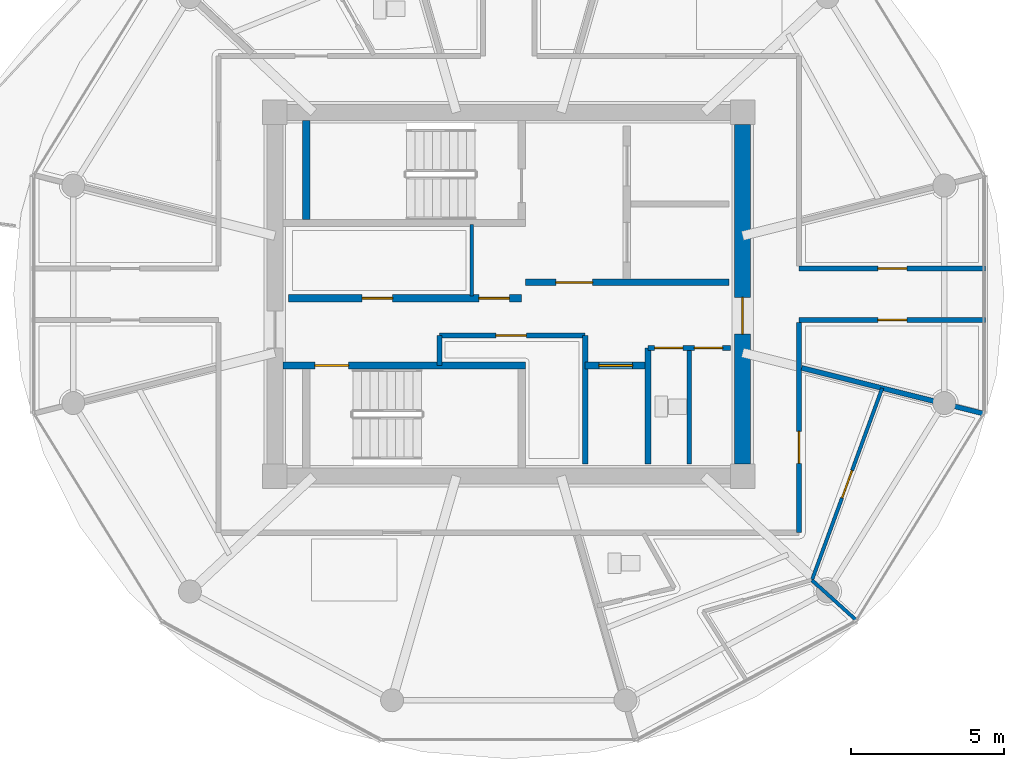
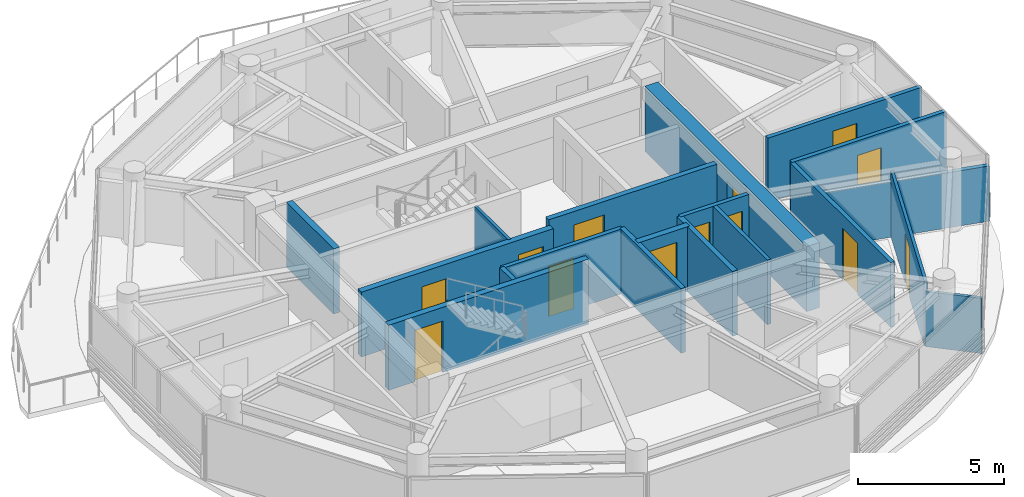
# One storey, part 12 of 21: 19 walls, 13 doors, 13 openings.
"""IFC4 building model written with IfcOpenShell, lengths in metres."""

import ifcopenshell
import ifcopenshell.guid

model = None  # the IFC model being written
_history = None  # IfcOwnerHistory: only IFC2X3 demands one
_inside = {}  # id of a spatial element -> (the spatial element, [elements in it])
_under = {}  # id of a project, library or spatial element -> (it, [spatial elements below it])
_declared = {}  # id of a project -> (the project, [libraries it declares])
_typed = {}  # id of a type object -> (the type object, [elements of that type])
_made_of = {}  # id of a material, layer set ... -> (it, [elements and type objects made of it])


def new_model(schema):
    """Start an empty IFC model of exactly this schema.

    Asked for "IFC4X3", IfcOpenShell would pick the latest addendum, in which some entities
    have other attributes; the version numbers below select the first issue.
    IFC2X3 requires an IfcOwnerHistory on every rooted entity: one is made here for all.
    """
    global model, _history
    if schema == "IFC4X3":
        model = ifcopenshell.file(schema_version=(4, 3, 0, 0))
    else:
        model = ifcopenshell.file(schema=schema)
    _inside.clear()
    _under.clear()
    _declared.clear()
    _typed.clear()
    _made_of.clear()
    _history = None
    if model.schema == "IFC2X3":
        org = make("IfcOrganization", Name="unknown")
        user = make(
            "IfcPersonAndOrganization",
            ThePerson=make("IfcPerson", FamilyName="unknown"),
            TheOrganization=org,
        )
        app = make(
            "IfcApplication",
            ApplicationDeveloper=org,
            Version="unknown",
            ApplicationFullName="unknown",
            ApplicationIdentifier="unknown",
        )
        _history = make(
            "IfcOwnerHistory",
            OwningUser=user,
            OwningApplication=app,
            ChangeAction="ADDED",
            CreationDate=0,
        )
    return model


def make(cls, **values):
    """One entity of the class cls with the attributes given. An attribute that is None is left unset."""
    return model.create_entity(
        cls, **{name: value for name, value in values.items() if value is not None}
    )


def rooted(cls, **values):
    """An entity with a GlobalId (a new one), such as an element, a storey or a relation."""
    return make(cls, GlobalId=ifcopenshell.guid.new(), OwnerHistory=_history, **values)


def si_unit(unit_type, name, prefix=None):
    """IfcSIUnit, for example si_unit("LENGTHUNIT", "METRE", prefix="MILLI")."""
    return make("IfcSIUnit", UnitType=unit_type, Prefix=prefix, Name=name)


def assignment(units):
    """IfcUnitAssignment: the units of a project."""
    return None if units is None else make("IfcUnitAssignment", Units=units)


def point(xyz):
    """IfcCartesianPoint."""
    return None if xyz is None else make("IfcCartesianPoint", Coordinates=xyz)


def direction(xyz):
    """IfcDirection."""
    return None if xyz is None else make("IfcDirection", DirectionRatios=xyz)


def frame(location, z_axis=None, x_axis=None):
    """IfcAxis2Placement3D, a coordinate frame: its origin and axes. An axis left out is left unset."""
    return make(
        "IfcAxis2Placement3D",
        Location=point(location),
        Axis=direction(z_axis),
        RefDirection=direction(x_axis),
    )


def frame_2d(location, x_axis=None):
    """IfcAxis2Placement2D, a coordinate frame in the plane: its origin and x axis."""
    return make(
        "IfcAxis2Placement2D", Location=point(location), RefDirection=direction(x_axis)
    )


def origin():
    """The frame at (0, 0, 0) with its axes left unset."""
    return frame((0.0, 0.0, 0.0))


def place(relative_to, where):
    """IfcLocalPlacement: puts the frame where relative to a parent placement (None: the world)."""
    return make(
        "IfcLocalPlacement", PlacementRelTo=relative_to, RelativePlacement=where
    )


def context(
    kind, dimensions, precision=None, world=None, true_north=None, identifier=None
):
    """IfcGeometricRepresentationContext, for example the 3D "Model" context."""
    return make(
        "IfcGeometricRepresentationContext",
        ContextIdentifier=identifier,
        ContextType=kind,
        CoordinateSpaceDimension=dimensions,
        Precision=precision,
        WorldCoordinateSystem=world,
        TrueNorth=true_north,
    )


def subcontext(parent, identifier, kind, view, scale=None):
    """IfcGeometricRepresentationSubContext, for example "Body" below "Model"."""
    return make(
        "IfcGeometricRepresentationSubContext",
        ContextIdentifier=identifier,
        ContextType=kind,
        ParentContext=parent,
        TargetScale=scale,
        TargetView=view,
    )


def project(units=None, contexts=None):
    """IfcProject with its units and contexts."""
    return rooted(
        "IfcProject",
        Name="project",
        RepresentationContexts=contexts,
        UnitsInContext=assignment(units),
    )


def spatial(cls, under=None, at=None, **own):
    """A site, building, storey or space (cls), placed at a placement, below another one or the project."""
    s = rooted(cls, ObjectPlacement=at, **own)
    if under is not None:
        _under.setdefault(under.id(), (under, []))[1].append(s)
    return s


def profile(cls, at=None, kind="AREA", **sizes):
    """A parametric profile (cls). Its sizes go by their IFC names, for example OverallWidth=200.0."""
    return make(cls, ProfileType=kind, Position=at, **sizes)


def rectangle(**sizes):
    """IfcRectangleProfileDef."""
    return profile("IfcRectangleProfileDef", **sizes)


def extrude(swept, where, along, depth):
    """IfcExtrudedAreaSolid: the profile swept, set in the frame where, extruded along a direction by depth."""
    return make(
        "IfcExtrudedAreaSolid",
        SweptArea=swept,
        Position=where,
        ExtrudedDirection=direction(along),
        Depth=depth,
    )


def shape(context_of_items, identifier, shape_type, items):
    """IfcShapeRepresentation: the items that make up one representation, for example the "Body"."""
    return make(
        "IfcShapeRepresentation",
        ContextOfItems=context_of_items,
        RepresentationIdentifier=identifier,
        RepresentationType=shape_type,
        Items=items,
    )


def source(mapping_origin, context_of_items, identifier, shape_type, items):
    """IfcRepresentationMap: a shape defined once, which mapped items show again and again."""
    return make(
        "IfcRepresentationMap",
        MappingOrigin=mapping_origin,
        MappedRepresentation=shape(context_of_items, identifier, shape_type, items),
    )


def transform(
    local_origin,
    x_axis=None,
    y_axis=None,
    z_axis=None,
    scale=None,
    scale2=None,
    scale3=None,
    uniform=True,
):
    """IfcCartesianTransformationOperator3D, or its non-uniform kind. x_axis, y_axis, z_axis: its Axis1, 2, 3."""
    if uniform:
        return make(
            "IfcCartesianTransformationOperator3D",
            Axis1=direction(x_axis),
            Axis2=direction(y_axis),
            LocalOrigin=point(local_origin),
            Scale=scale,
            Axis3=direction(z_axis),
        )
    return make(
        "IfcCartesianTransformationOperator3DnonUniform",
        Axis1=direction(x_axis),
        Axis2=direction(y_axis),
        LocalOrigin=point(local_origin),
        Scale=scale,
        Axis3=direction(z_axis),
        Scale2=scale2,
        Scale3=scale3,
    )


def mapped(mapping_source, mapping_target):
    """IfcMappedItem: shows the shape of a source again, moved by a transform."""
    return make(
        "IfcMappedItem", MappingSource=mapping_source, MappingTarget=mapping_target
    )


def material(Name=None, Category=None):
    """IfcMaterial."""
    return make("IfcMaterial", Name=Name, Category=Category)


def layer(
    of_material, thickness, ventilated=None, Name=None, Category=None, Priority=None
):
    """IfcMaterialLayer: one layer of a wall or slab, of a material (None: an air gap)."""
    return make(
        "IfcMaterialLayer",
        Material=of_material,
        LayerThickness=thickness,
        IsVentilated=ventilated,
        Name=Name,
        Category=Category,
        Priority=Priority,
    )


def layer_set(layers, Name=None):
    """IfcMaterialLayerSet."""
    return make("IfcMaterialLayerSet", MaterialLayers=layers, LayerSetName=Name)


def made_of(thing, what):
    """Note that an element or type object is made of a material, layer set ...; save() writes the relation."""
    if what is not None:
        _made_of.setdefault(what.id(), (what, []))[1].append(thing)
    return thing


def type_object(cls, material=None, **own):
    """A type object (cls), such as IfcWallType, which elements share."""
    return made_of(rooted(cls, **own), material)


def type_shapes(of_type, sources):
    """Give a type object the sources (RepresentationMaps) that its elements show as mapped items."""
    of_type.RepresentationMaps = sources


def element(
    cls,
    number,
    at=None,
    inside=None,
    cuts=None,
    type_object=None,
    material=None,
    context=None,
    identifier="Body",
    shape_type=None,
    held_by="IfcProductDefinitionShape",
    body=None,
    shapes=None,
    **own,
):
    """One element of the class cls, such as IfcWall. Its Tag is "e" and its number.

    at: its placement. inside: the storey or other place that contains it. cuts: it is an
    opening in that element (IfcRelVoidsElement). A single representation is given by context,
    identifier, shape_type and body (its items); several are given by shapes. held_by: the class
    of the entity that holds the representations. save() writes the other relations.
    """
    e = rooted(cls, Tag="e%d" % number, ObjectPlacement=at, **own)
    if body is not None:
        shapes = [shape(context, identifier, shape_type, body)]
    if shapes is not None:
        e.Representation = make(held_by, Representations=shapes)
    if inside is not None:
        _inside.setdefault(inside.id(), (inside, []))[1].append(e)
    if cuts is not None:
        rooted(
            "IfcRelVoidsElement", RelatingBuildingElement=cuts, RelatedOpeningElement=e
        )
    if type_object is not None:
        _typed.setdefault(type_object.id(), (type_object, []))[1].append(e)
    return made_of(e, material)


def fill(opening, filler):
    """IfcRelFillsElement: the door or window that sits in an opening."""
    return rooted(
        "IfcRelFillsElement",
        RelatingOpeningElement=opening,
        RelatedBuildingElement=filler,
    )


def aggregate(whole, parts):
    """IfcRelAggregates: a whole, such as a stair, and the parts it consists of."""
    return rooted("IfcRelAggregates", RelatingObject=whole, RelatedObjects=parts)


def save(model, path):
    """Write the relations noted so far, then the file.

    IfcRelAggregates (storeys below a building ...), IfcRelContainedInSpatialStructure (elements
    in a storey), IfcRelDefinesByType, IfcRelAssociatesMaterial and IfcRelDeclares: one each for
    every whole, place, type object, material and project.
    """
    for whole, parts in _under.values():
        aggregate(whole, parts)
    for where, things in _inside.values():
        rooted(
            "IfcRelContainedInSpatialStructure",
            RelatedElements=things,
            RelatingStructure=where,
        )
    for kind, things in _typed.values():
        rooted("IfcRelDefinesByType", RelatedObjects=things, RelatingType=kind)
    for what, things in _made_of.values():
        rooted("IfcRelAssociatesMaterial", RelatedObjects=things, RelatingMaterial=what)
    for by, libraries in _declared.values():
        rooted("IfcRelDeclares", RelatingContext=by, RelatedDefinitions=libraries)
    model.write(path)


model = new_model("IFC4")

# Units and contexts
model_context = context("Model", 3, precision=1e-05, world=origin(), true_north=direction((0.0, 1.0)))
body_context = subcontext(model_context, "Body", "Model", "MODEL_VIEW")
ifc_project = project(units=[si_unit("LENGTHUNIT", "METRE"), si_unit("AREAUNIT", "SQUARE_METRE"), si_unit("VOLUMEUNIT", "CUBIC_METRE"), si_unit("PLANEANGLEUNIT", "RADIAN"), si_unit("MASSUNIT", "GRAM", prefix="KILO")], contexts=[model_context])

# Site, building, storey
site_placement = place(None, origin())
site = spatial("IfcSite", under=ifc_project, at=site_placement, CompositionType="ELEMENT")
building_placement = place(site_placement, origin())
building = spatial("IfcBuilding", under=site, at=building_placement, Name="Norrkilde Senior Care Towers", CompositionType="ELEMENT")
storey_placement = place(building_placement, frame((0.0, 0.0, 241.35009765625)))
storey = spatial("IfcBuildingStorey", under=building, at=storey_placement, Name="L75", CompositionType="ELEMENT", Elevation=241.35009765625)

# Wall, opening, door
ifc_material_1 = material(Name="Concrete C50/60", Category="concrete")
ifc_layer_1 = layer(ifc_material_1, 0.52001953125)
ifc_layer_set_1 = layer_set([ifc_layer_1], Name="Concrete C50/60")
wall_type_1 = type_object("IfcWallType", Name="Core Shear Wall Z4 520", PredefinedType="SHEAR", material=ifc_layer_set_1)
shared_shape_1 = source(origin(), body_context, "Body", "SweptSolid", [
    extrude(rectangle(XDim=11.10009765625, YDim=0.52001953125, at=frame_2d((5.550048828125, 0.0))), origin(), (0.0, 0.0, 1.0), 2.72998046875),
])
type_shapes(wall_type_1, [shared_shape_1])
wall_1_placement = place(storey_placement, frame((35.64990234375, 5.550048828125, 0.0), z_axis=(0.0, 0.0, 1.0), x_axis=(0.0, -1.0, 0.0)))
wall_1 = element("IfcWall", 1, at=wall_1_placement, inside=storey, type_object=wall_type_1, Name="L75 Core E East Shear Wall", PredefinedType="SHEAR", context=body_context, shape_type="MappedRepresentation", body=[
    mapped(shared_shape_1, transform((0.0, 0.0, 0.0), x_axis=(1.0, 0.0, 0.0), y_axis=(0.0, 1.0, 0.0), z_axis=(0.0, 0.0, 1.0), scale=1.0)),
])
opening_1_placement = place(wall_1_placement, frame((5.64990234375, 0.0, 0.0)))
opening_1 = element("IfcOpeningElement", 2, at=opening_1_placement, cuts=wall_1, Name="Opening D-04", PredefinedType="OPENING", context=body_context, shape_type="SweptSolid", body=[
    extrude(rectangle(XDim=1.199951171875, YDim=2.14990234375, at=frame_2d((0.60009765625, 1.074951171875))), frame((0.0, 0.27001953125, 0.0), z_axis=(0.0, -1.0, 0.0), x_axis=(1.0, 0.0, 0.0)), (0.0, 0.0, 1.0), 0.5400390625),
])
ifc_material_2 = material(Name="Galvanised Painted Steel", Category="steel")
door_type_1 = type_object("IfcDoorType", Name="Firefighting Lobby Fire Door 1200x2150", OperationType="NOTDEFINED", PredefinedType="DOOR", material=ifc_material_2)
shared_shape_2 = source(origin(), body_context, "Body", "SweptSolid", [
    extrude(rectangle(XDim=1.199951171875, YDim=2.14990234375, at=frame_2d((0.60009765625, 1.074951171875))), frame((0.0, 0.02490234375, 0.0), z_axis=(0.0, -1.0, 0.0), x_axis=(1.0, 0.0, 0.0)), (0.0, 0.0, 1.0), 0.050048828125),
])
type_shapes(door_type_1, [shared_shape_2])
door_1_placement = place(opening_1_placement, frame((1.199951171875, 0.0, 0.0), z_axis=(0.0, 0.0, 1.0), x_axis=(-1.0, 0.0, 0.0)))
door_1 = element("IfcDoor", 3, at=door_1_placement, inside=storey, type_object=door_type_1, Name="L75 Core E East Portal Door", OperationType="SINGLE_SWING_RIGHT", OverallHeight=2.14990234375, OverallWidth=1.199951171875, PredefinedType="DOOR", context=body_context, shape_type="MappedRepresentation", body=[
    mapped(shared_shape_2, transform((0.0, 0.0, 0.0), x_axis=(1.0, 0.0, 0.0), y_axis=(0.0, 1.0, 0.0), z_axis=(0.0, 0.0, 1.0), scale=1.0)),
])
fill(opening_1, door_1)

ifc_material_3 = material(Name="Concrete C45/55", Category="concrete")
ifc_layer_2 = layer(ifc_material_3, 0.2099609375)
ifc_layer_set_2 = layer_set([ifc_layer_2], Name="Concrete C45/55")
wall_type_2 = type_object("IfcWallType", Name="Firefighting Lobby Wall 210", PredefinedType="PARTITIONING", material=ifc_layer_set_2)
shared_shape_3 = source(origin(), body_context, "Body", "SweptSolid", [
    extrude(rectangle(XDim=6.659912109375, YDim=0.2099609375, at=frame_2d((3.330078125, 0.0))), origin(), (0.0, 0.0, 1.0), 2.71484375),
])
type_shapes(wall_type_2, [shared_shape_3])
wall_2_placement = place(storey_placement, frame((28.5400390625, 0.389892578125, 0.0), z_axis=(0.0, 0.0, 1.0), x_axis=(1.0, 0.0, 0.0)))
wall_2 = element("IfcWall", 4, at=wall_2_placement, inside=storey, type_object=wall_type_2, Name="WL-INT-L75-E-FFLS", PredefinedType="PARTITIONING", context=body_context, shape_type="MappedRepresentation", body=[
    mapped(shared_shape_3, transform((0.0, 0.0, 0.0), x_axis=(1.0, 0.0, 0.0), y_axis=(0.0, 1.0, 0.0), z_axis=(0.0, 0.0, 1.0), scale=1.0)),
])
opening_2_placement = place(wall_2_placement, frame((1.0, 0.0, 0.0)))
opening_2 = element("IfcOpeningElement", 5, at=opening_2_placement, cuts=wall_2, Name="Opening D-04", PredefinedType="OPENING", context=body_context, shape_type="SweptSolid", body=[
    extrude(rectangle(XDim=1.199951171875, YDim=2.14990234375, at=frame_2d((0.60009765625, 1.074951171875))), frame((0.0, 0.114990234375, 0.0), z_axis=(0.0, -1.0, 0.0), x_axis=(1.0, 0.0, 0.0)), (0.0, 0.0, 1.0), 0.22998046875),
])
door_2_placement = place(opening_2_placement, frame((1.199951171875, 0.0, 0.0), z_axis=(0.0, 0.0, 1.0), x_axis=(-1.0, 0.0, 0.0)))
door_2 = element("IfcDoor", 6, at=door_2_placement, inside=storey, type_object=door_type_1, Name="L75 Firefighting Lobby E Door", OperationType="SINGLE_SWING_LEFT", OverallHeight=2.14990234375, OverallWidth=1.199951171875, PredefinedType="DOOR", context=body_context, shape_type="MappedRepresentation", body=[
    mapped(shared_shape_2, transform((0.0, 0.0, 0.0), x_axis=(1.0, 0.0, 0.0), y_axis=(0.0, 1.0, 0.0), z_axis=(0.0, 0.0, 1.0), scale=1.0)),
])
fill(opening_2, door_2)

# Wall, openings, doors
ifc_layer_3 = layer(ifc_material_3, 0.239990234375)
ifc_layer_set_3 = layer_set([ifc_layer_3], Name="Concrete C45/55")
wall_type_3 = type_object("IfcWallType", Name="Lift and Plant Rated Enclosure Partition 240", PredefinedType="PARTITIONING", material=ifc_layer_set_3)
shared_shape_4 = source(origin(), body_context, "Body", "SweptSolid", [
    extrude(rectangle(XDim=7.619873046875, YDim=0.239990234375, at=frame_2d((3.81005859375, 0.0))), origin(), (0.0, 0.0, 1.0), 2.71484375),
])
wall_3_placement = place(storey_placement, frame((20.800048828125, -0.1298828125, 0.0), z_axis=(0.0, 0.0, 1.0), x_axis=(1.0, 0.0, 0.0)))
wall_3 = element("IfcWall", 7, at=wall_3_placement, inside=storey, type_object=wall_type_3, Name="WL-INT-L75-E-PKAS", PredefinedType="PARTITIONING", context=body_context, shape_type="MappedRepresentation", body=[
    mapped(shared_shape_4, transform((0.0, 0.0, 0.0), x_axis=(1.0, 0.0, 0.0), y_axis=(0.0, 1.0, 0.0), z_axis=(0.0, 0.0, 1.0), scale=1.0)),
])
opening_3_placement = place(wall_3_placement, frame((6.219970703125, 0.0, 0.0)))
opening_3 = element("IfcOpeningElement", 8, at=opening_3_placement, cuts=wall_3, Name="Opening D-10", PredefinedType="OPENING", context=body_context, shape_type="SweptSolid", body=[
    extrude(rectangle(XDim=1.0, YDim=2.10009765625, at=frame_2d((0.5, 1.050048828125))), frame((0.0, 0.1298828125, 0.0), z_axis=(0.0, -1.0, 0.0), x_axis=(1.0, 0.0, 0.0)), (0.0, 0.0, 1.0), 0.260009765625),
])
opening_4_placement = place(wall_3_placement, frame((2.39990234375, 0.0, 0.0)))
opening_4 = element("IfcOpeningElement", 9, at=opening_4_placement, cuts=wall_3, Name="Opening D-10", PredefinedType="OPENING", context=body_context, shape_type="SweptSolid", body=[
    extrude(rectangle(XDim=1.0, YDim=2.10009765625, at=frame_2d((0.5, 1.050048828125))), frame((0.0, 0.1298828125, 0.0), z_axis=(0.0, -1.0, 0.0), x_axis=(1.0, 0.0, 0.0)), (0.0, 0.0, 1.0), 0.260009765625),
])
door_type_2 = type_object("IfcDoorType", Name="Plant and Riser Rated Door 1000x2100", OperationType="NOTDEFINED", PredefinedType="DOOR", material=ifc_material_2)
shared_shape_5 = source(origin(), body_context, "Body", "SweptSolid", [
    extrude(rectangle(XDim=1.0, YDim=2.10009765625, at=frame_2d((0.5, 1.050048828125))), frame((0.0, 0.02490234375, 0.0), z_axis=(0.0, -1.0, 0.0), x_axis=(1.0, 0.0, 0.0)), (0.0, 0.0, 1.0), 0.050048828125),
])
type_shapes(door_type_2, [shared_shape_5])
door_3_placement = place(opening_3_placement, frame((1.0, 0.0, 0.0), z_axis=(0.0, 0.0, 1.0), x_axis=(-1.0, 0.0, 0.0)))
door_3 = element("IfcDoor", 10, at=door_3_placement, inside=storey, type_object=door_type_2, Name="L75 Electrical Riser E Door", OperationType="SINGLE_SWING_LEFT", OverallHeight=2.10009765625, OverallWidth=1.0, PredefinedType="DOOR", context=body_context, shape_type="MappedRepresentation", body=[
    mapped(shared_shape_5, transform((0.0, 0.0, 0.0), x_axis=(1.0, 0.0, 0.0), y_axis=(0.0, 1.0, 0.0), z_axis=(0.0, 0.0, 1.0), scale=1.0)),
])
fill(opening_3, door_3)
door_4_placement = place(opening_4_placement, frame((1.0, 0.0, 0.0), z_axis=(0.0, 0.0, 1.0), x_axis=(-1.0, 0.0, 0.0)))
door_4 = element("IfcDoor", 11, at=door_4_placement, inside=storey, type_object=door_type_2, Name="L75 Clean Supply Store E Door", OperationType="SINGLE_SWING_LEFT", OverallHeight=2.10009765625, OverallWidth=1.0, PredefinedType="DOOR", context=body_context, shape_type="MappedRepresentation", body=[
    mapped(shared_shape_5, transform((0.0, 0.0, 0.0), x_axis=(1.0, 0.0, 0.0), y_axis=(0.0, 1.0, 0.0), z_axis=(0.0, 0.0, 1.0), scale=1.0)),
])
fill(opening_4, door_4)

# Walls
ifc_material_4 = material(Name="Gypsum Acoustic Board")
ifc_layer_4 = layer(ifc_material_4, 0.114990234375)
ifc_layer_set_4 = layer_set([ifc_layer_4], Name="Gypsum Acoustic Board")
wall_type_4 = type_object("IfcWallType", Name="Internal Room Partition 115", PredefinedType="PARTITIONING", material=ifc_layer_set_4)
shared_shape_6 = source(origin(), body_context, "Body", "SweptSolid", [
    extrude(rectangle(XDim=2.330078125, YDim=0.114990234375, at=frame_2d((1.1650390625, 0.0))), origin(), (0.0, 0.0, 1.0), 2.71484375),
])
wall_4_placement = place(storey_placement, frame((26.7900390625, -0.050048828125, 0.0), z_axis=(0.0, 0.0, 1.0), x_axis=(0.0, 1.0, 0.0)))
element("IfcWall", 12, at=wall_4_placement, inside=storey, type_object=wall_type_4, Name="WL-INT-L75-E-RISW", PredefinedType="PARTITIONING", context=body_context, shape_type="MappedRepresentation", body=[
    mapped(shared_shape_6, transform((0.0, 0.0, 0.0), x_axis=(1.0, 0.0, 0.0), y_axis=(0.0, 1.0, 0.0), z_axis=(0.0, 0.0, 1.0), scale=1.0)),
])
ifc_layer_5 = layer(ifc_material_3, 0.199951171875)
ifc_layer_set_5 = layer_set([ifc_layer_5], Name="Concrete C45/55")
wall_type_5 = type_object("IfcWallType", Name="Shaft Division and Plant Partition 200", PredefinedType="PARTITIONING", material=ifc_layer_set_5)
shared_shape_7 = source(origin(), body_context, "Body", "SweptSolid", [
    extrude(rectangle(XDim=3.800048828125, YDim=0.199951171875, at=frame_2d((1.89990234375, 0.0))), origin(), (0.0, 0.0, 1.0), 2.71484375),
])
type_shapes(wall_type_5, [shared_shape_7])
wall_5_placement = place(storey_placement, frame((32.550048828125, -5.550048828125, 0.0), z_axis=(0.0, 0.0, 1.0), x_axis=(0.0, 1.0, 0.0)))
element("IfcWall", 13, at=wall_5_placement, inside=storey, type_object=wall_type_5, Name="WL-INT-L75-E-PKBE", PredefinedType="PARTITIONING", context=body_context, shape_type="MappedRepresentation", body=[
    mapped(shared_shape_7, transform((0.0, 0.0, 0.0), x_axis=(1.0, 0.0, 0.0), y_axis=(0.0, 1.0, 0.0), z_axis=(0.0, 0.0, 1.0), scale=1.0)),
])

# Wall, opening, door
shared_shape_8 = source(origin(), body_context, "Body", "SweptSolid", [
    extrude(rectangle(XDim=2.050048828125, YDim=0.239990234375, at=frame_2d((1.02490234375, 0.0))), origin(), (0.0, 0.0, 1.0), 2.71484375),
])
type_shapes(wall_type_3, [shared_shape_4, shared_shape_8])
wall_6_placement = place(storey_placement, frame((30.5, -2.330078125, 0.0), z_axis=(0.0, 0.0, 1.0), x_axis=(1.0, 0.0, 0.0)))
wall_6 = element("IfcWall", 14, at=wall_6_placement, inside=storey, type_object=wall_type_3, Name="WL-INT-L75-E-PL4N", PredefinedType="PARTITIONING", context=body_context, shape_type="MappedRepresentation", body=[
    mapped(shared_shape_8, transform((0.0, 0.0, 0.0), x_axis=(1.0, 0.0, 0.0), y_axis=(0.0, 1.0, 0.0), z_axis=(0.0, 0.0, 1.0), scale=1.0)),
])
opening_5_placement = place(wall_6_placement, frame((0.449951171875, 0.0, 0.0)))
opening_5 = element("IfcOpeningElement", 15, at=opening_5_placement, cuts=wall_6, Name="Opening LD-01", PredefinedType="OPENING", context=body_context, shape_type="SweptSolid", body=[
    extrude(rectangle(XDim=1.10009765625, YDim=2.199951171875, at=frame_2d((0.550048828125, 1.10009765625))), frame((0.0, 0.1298828125, 0.0), z_axis=(0.0, -1.0, 0.0), x_axis=(1.0, 0.0, 0.0)), (0.0, 0.0, 1.0), 0.260009765625),
])
ifc_material_5 = material(Name="Stainless Steel", Category="steel")
door_type_3 = type_object("IfcDoorType", Name="Lift Landing Sliding Door 1100x2200", OperationType="NOTDEFINED", PredefinedType="DOOR", material=ifc_material_5)
shared_shape_9 = source(origin(), body_context, "Body", "SweptSolid", [
    extrude(rectangle(XDim=1.10009765625, YDim=2.199951171875, at=frame_2d((0.550048828125, 1.10009765625))), frame((0.0, 0.02490234375, 0.0), z_axis=(0.0, -1.0, 0.0), x_axis=(1.0, 0.0, 0.0)), (0.0, 0.0, 1.0), 0.050048828125),
])
type_shapes(door_type_3, [shared_shape_9])
door_5_placement = place(opening_5_placement, frame((1.10009765625, 0.0, 0.0), z_axis=(0.0, 0.0, 1.0), x_axis=(-1.0, 0.0, 0.0)))
door_5 = element("IfcDoor", 16, at=door_5_placement, inside=storey, type_object=door_type_3, Name="L75 Passenger Lift E4 Landing Door", OperationType="SLIDING_TO_RIGHT", OverallHeight=2.199951171875, OverallWidth=1.10009765625, PredefinedType="DOOR", context=body_context, shape_type="MappedRepresentation", body=[
    mapped(shared_shape_9, transform((0.0, 0.0, 0.0), x_axis=(1.0, 0.0, 0.0), y_axis=(0.0, 1.0, 0.0), z_axis=(0.0, 0.0, 1.0), scale=1.0)),
])
fill(opening_5, door_5)

# Wall
ifc_layer_6 = layer(ifc_material_3, 0.179931640625)
ifc_layer_set_6 = layer_set([ifc_layer_6], Name="Concrete C45/55")
wall_type_6 = type_object("IfcWallType", Name="Hoistway Division Rated Partition 180", PredefinedType="PARTITIONING", material=ifc_layer_set_6)
shared_shape_10 = source(origin(), body_context, "Body", "SweptSolid", [
    extrude(rectangle(XDim=4.199951171875, YDim=0.179931640625, at=frame_2d((2.10009765625, 0.0))), origin(), (0.0, 0.0, 1.0), 2.71484375),
])
type_shapes(wall_type_6, [shared_shape_10])
wall_7_placement = place(storey_placement, frame((30.5, -5.550048828125, 0.0), z_axis=(0.0, 0.0, 1.0), x_axis=(0.0, 1.0, 0.0)))
element("IfcWall", 17, at=wall_7_placement, inside=storey, type_object=wall_type_6, Name="WL-INT-L75-E-PL4W", PredefinedType="PARTITIONING", context=body_context, shape_type="MappedRepresentation", body=[
    mapped(shared_shape_10, transform((0.0, 0.0, 0.0), x_axis=(1.0, 0.0, 0.0), y_axis=(0.0, 1.0, 0.0), z_axis=(0.0, 0.0, 1.0), scale=1.0)),
])

# Wall, opening, door
ifc_layer_7 = layer(ifc_material_4, 0.1650390625)
ifc_layer_set_7 = layer_set([ifc_layer_7], Name="Gypsum Acoustic Board")
wall_type_7 = type_object("IfcWallType", Name="Corridor Rated Partition 165", PredefinedType="PARTITIONING", material=ifc_layer_set_7)
shared_shape_11 = source(origin(), body_context, "Body", "SweptSolid", [
    extrude(rectangle(XDim=4.77001953125, YDim=0.1650390625, at=frame_2d((2.385009765625, 0.0))), origin(), (0.0, 0.0, 1.0), 2.71484375),
])
wall_8_placement = place(storey_placement, frame((25.72998046875, -1.35009765625, 0.0), z_axis=(0.0, 0.0, 1.0), x_axis=(1.0, 0.0, 0.0)))
wall_8 = element("IfcWall", 18, at=wall_8_placement, inside=storey, type_object=wall_type_7, Name="WL-INT-L75-E-FR2N", PredefinedType="PARTITIONING", context=body_context, shape_type="MappedRepresentation", body=[
    mapped(shared_shape_11, transform((0.0, 0.0, 0.0), x_axis=(1.0, 0.0, 0.0), y_axis=(0.0, 1.0, 0.0), z_axis=(0.0, 0.0, 1.0), scale=1.0)),
])
opening_6_placement = place(wall_8_placement, frame((1.85009765625, 0.0, 0.0)))
opening_6 = element("IfcOpeningElement", 19, at=opening_6_placement, cuts=wall_8, Name="Opening D-10", PredefinedType="OPENING", context=body_context, shape_type="SweptSolid", body=[
    extrude(rectangle(XDim=1.0, YDim=2.10009765625, at=frame_2d((0.5, 1.050048828125))), frame((0.0, 0.092529296875, 0.0), z_axis=(0.0, -1.0, 0.0), x_axis=(1.0, 0.0, 0.0)), (0.0, 0.0, 1.0), 0.18505859375),
])
door_6_placement = place(opening_6_placement, origin())
door_6 = element("IfcDoor", 20, at=door_6_placement, inside=storey, type_object=door_type_2, Name="L75 Core Pantry E Door", OperationType="SINGLE_SWING_RIGHT", OverallHeight=2.10009765625, OverallWidth=1.0, PredefinedType="DOOR", context=body_context, shape_type="MappedRepresentation", body=[
    mapped(shared_shape_5, transform((0.0, 0.0, 0.0), x_axis=(1.0, 0.0, 0.0), y_axis=(0.0, 1.0, 0.0), z_axis=(0.0, 0.0, 1.0), scale=1.0)),
])
fill(opening_6, door_6)

# Wall
shared_shape_12 = source(origin(), body_context, "Body", "SweptSolid", [
    extrude(rectangle(XDim=0.97998046875, YDim=0.1650390625, at=frame_2d((0.489990234375, 0.0))), origin(), (0.0, 0.0, 1.0), 2.71484375),
])
wall_9_placement = place(storey_placement, frame((25.72998046875, -2.330078125, 0.0), z_axis=(0.0, 0.0, 1.0), x_axis=(0.0, 1.0, 0.0)))
element("IfcWall", 21, at=wall_9_placement, inside=storey, type_object=wall_type_7, Name="WL-INT-L75-E-FR2W", PredefinedType="PARTITIONING", context=body_context, shape_type="MappedRepresentation", body=[
    mapped(shared_shape_12, transform((0.0, 0.0, 0.0), x_axis=(1.0, 0.0, 0.0), y_axis=(0.0, 1.0, 0.0), z_axis=(0.0, 0.0, 1.0), scale=1.0)),
])

# Wall, openings, doors
shared_shape_13 = source(origin(), body_context, "Body", "SweptSolid", [
    extrude(rectangle(XDim=2.699951171875, YDim=0.1650390625, at=frame_2d((1.35009765625, 0.0))), origin(), (0.0, 0.0, 1.0), 2.71484375),
])
wall_10_placement = place(storey_placement, frame((32.550048828125, -1.75, 0.0), z_axis=(0.0, 0.0, 1.0), x_axis=(1.0, 0.0, 0.0)))
wall_10 = element("IfcWall", 22, at=wall_10_placement, inside=storey, type_object=wall_type_7, Name="WL-INT-L75-E-CSN", PredefinedType="PARTITIONING", context=body_context, shape_type="MappedRepresentation", body=[
    mapped(shared_shape_13, transform((0.0, 0.0, 0.0), x_axis=(1.0, 0.0, 0.0), y_axis=(0.0, 1.0, 0.0), z_axis=(0.0, 0.0, 1.0), scale=1.0)),
])
opening_7_placement = place(wall_10_placement, frame((0.222412109375, 0.0, 0.0)))
opening_7 = element("IfcOpeningElement", 23, at=opening_7_placement, cuts=wall_10, Name="Opening D-12", PredefinedType="OPENING", context=body_context, shape_type="SweptSolid", body=[
    extrude(rectangle(XDim=0.925048828125, YDim=2.10009765625, at=frame_2d((0.46240234375, 1.050048828125))), frame((0.0, 0.092529296875, 0.0), z_axis=(0.0, -1.0, 0.0), x_axis=(1.0, 0.0, 0.0)), (0.0, 0.0, 1.0), 0.18505859375),
])
opening_8_placement = place(wall_10_placement, frame((1.5224609375, 0.0, 0.0)))
opening_8 = element("IfcOpeningElement", 24, at=opening_8_placement, cuts=wall_10, Name="Opening D-12", PredefinedType="OPENING", context=body_context, shape_type="SweptSolid", body=[
    extrude(rectangle(XDim=0.925048828125, YDim=2.10009765625, at=frame_2d((0.46240234375, 1.050048828125))), frame((0.0, 0.092529296875, 0.0), z_axis=(0.0, -1.0, 0.0), x_axis=(1.0, 0.0, 0.0)), (0.0, 0.0, 1.0), 0.18505859375),
])
door_type_4 = type_object("IfcDoorType", Name="Core Wet Room Rated Door 925x2100", OperationType="NOTDEFINED", PredefinedType="DOOR", material=ifc_material_2)
shared_shape_14 = source(origin(), body_context, "Body", "SweptSolid", [
    extrude(rectangle(XDim=0.925048828125, YDim=2.10009765625, at=frame_2d((0.46240234375, 1.050048828125))), frame((0.0, 0.02490234375, 0.0), z_axis=(0.0, -1.0, 0.0), x_axis=(1.0, 0.0, 0.0)), (0.0, 0.0, 1.0), 0.050048828125),
])
type_shapes(door_type_4, [shared_shape_14])
door_7_placement = place(opening_7_placement, origin())
door_7 = element("IfcDoor", 25, at=door_7_placement, inside=storey, type_object=door_type_4, Name="L75 Staff Accessible WC E Door", OperationType="SINGLE_SWING_LEFT", OverallHeight=2.10009765625, OverallWidth=0.925048828125, PredefinedType="DOOR", context=body_context, shape_type="MappedRepresentation", body=[
    mapped(shared_shape_14, transform((0.0, 0.0, 0.0), x_axis=(1.0, 0.0, 0.0), y_axis=(0.0, 1.0, 0.0), z_axis=(0.0, 0.0, 1.0), scale=1.0)),
])
fill(opening_7, door_7)
door_8_placement = place(opening_8_placement, origin())
door_8 = element("IfcDoor", 26, at=door_8_placement, inside=storey, type_object=door_type_4, Name="L75 Housekeeping Store E Door", OperationType="SINGLE_SWING_RIGHT", OverallHeight=2.10009765625, OverallWidth=0.925048828125, PredefinedType="DOOR", context=body_context, shape_type="MappedRepresentation", body=[
    mapped(shared_shape_14, transform((0.0, 0.0, 0.0), x_axis=(1.0, 0.0, 0.0), y_axis=(0.0, 1.0, 0.0), z_axis=(0.0, 0.0, 1.0), scale=1.0)),
])
fill(opening_8, door_8)

# Wall
ifc_layer_8 = layer(ifc_material_4, 0.139892578125)
ifc_layer_set_8 = layer_set([ifc_layer_8], Name="Gypsum Acoustic Board")
wall_type_8 = type_object("IfcWallType", Name="En-suite Wet Room Wall 140", PredefinedType="PARTITIONING", material=ifc_layer_set_8)
shared_shape_15 = source(origin(), body_context, "Body", "SweptSolid", [
    extrude(rectangle(XDim=3.800048828125, YDim=0.139892578125, at=frame_2d((1.89990234375, 0.0))), origin(), (0.0, 0.0, 1.0), 2.71484375),
])
type_shapes(wall_type_8, [shared_shape_15])
wall_11_placement = place(storey_placement, frame((33.89990234375, -5.550048828125, 0.0), z_axis=(0.0, 0.0, 1.0), x_axis=(0.0, 1.0, 0.0)))
element("IfcWall", 27, at=wall_11_placement, inside=storey, type_object=wall_type_8, Name="WL-INT-L75-E-CS1V", PredefinedType="PARTITIONING", context=body_context, shape_type="MappedRepresentation", body=[
    mapped(shared_shape_15, transform((0.0, 0.0, 0.0), x_axis=(1.0, 0.0, 0.0), y_axis=(0.0, 1.0, 0.0), z_axis=(0.0, 0.0, 1.0), scale=1.0)),
])

# Wall, opening, door
shared_shape_16 = source(origin(), body_context, "Body", "SweptSolid", [
    extrude(rectangle(XDim=6.880126953125, YDim=0.1650390625, at=frame_2d((3.43994140625, 0.0))), origin(), (0.0, 0.0, 1.0), 2.71484375),
])
wall_12_placement = place(storey_placement, frame((37.5, -0.919921875, 0.0), z_axis=(0.0, 0.0, 1.0), x_axis=(0.0, -1.0, 0.0)))
wall_12 = element("IfcWall", 28, at=wall_12_placement, inside=storey, type_object=wall_type_7, Name="WL-INT-L75-E-CRW-E-1", PredefinedType="PARTITIONING", context=body_context, shape_type="MappedRepresentation", body=[
    mapped(shared_shape_16, transform((0.0, 0.0, 0.0), x_axis=(1.0, 0.0, 0.0), y_axis=(0.0, 1.0, 0.0), z_axis=(0.0, 0.0, 1.0), scale=1.0)),
])
opening_9_placement = place(wall_12_placement, frame((3.564208984375, 0.0, 0.0)))
opening_9 = element("IfcOpeningElement", 29, at=opening_9_placement, cuts=wall_12, Name="Opening D-06", PredefinedType="OPENING", context=body_context, shape_type="SweptSolid", body=[
    extrude(rectangle(XDim=1.050048828125, YDim=2.14990234375, at=frame_2d((0.52490234375, 1.074951171875))), frame((0.0, 0.092529296875, 0.0), z_axis=(0.0, -1.0, 0.0), x_axis=(1.0, 0.0, 0.0)), (0.0, 0.0, 1.0), 0.18505859375),
])
ifc_material_6 = material(Name="Nordic Ash Timber", Category="wood")
door_type_5 = type_object("IfcDoorType", Name="Apartment Entrance Fire Door 1050x2150", OperationType="NOTDEFINED", PredefinedType="DOOR", material=ifc_material_6)
shared_shape_17 = source(origin(), body_context, "Body", "SweptSolid", [
    extrude(rectangle(XDim=1.050048828125, YDim=2.14990234375, at=frame_2d((0.52490234375, 1.074951171875))), frame((0.0, 0.02490234375, 0.0), z_axis=(0.0, -1.0, 0.0), x_axis=(1.0, 0.0, 0.0)), (0.0, 0.0, 1.0), 0.050048828125),
])
type_shapes(door_type_5, [shared_shape_17])
door_9_placement = place(opening_9_placement, frame((1.050048828125, 0.0, 0.0), z_axis=(0.0, 0.0, 1.0), x_axis=(-1.0, 0.0, 0.0)))
door_9 = element("IfcDoor", 30, at=door_9_placement, inside=storey, type_object=door_type_5, Name="Apartment 75E Entrance Door", OperationType="SINGLE_SWING_RIGHT", OverallHeight=2.14990234375, OverallWidth=1.050048828125, PredefinedType="DOOR", context=body_context, shape_type="MappedRepresentation", body=[
    mapped(shared_shape_17, transform((0.0, 0.0, 0.0), x_axis=(1.0, 0.0, 0.0), y_axis=(0.0, 1.0, 0.0), z_axis=(0.0, 0.0, 1.0), scale=1.0)),
])
fill(opening_9, door_9)

ifc_layer_9 = layer(ifc_material_3, 0.239990234375)
ifc_layer_set_9 = layer_set([ifc_layer_9], Name="Concrete C45/55")
wall_type_9 = type_object("IfcWallType", Name="Shaft and Stair Enclosure Wall 240", PredefinedType="PARTITIONING", material=ifc_layer_set_9)
shared_shape_18 = source(origin(), body_context, "Body", "SweptSolid", [
    extrude(rectangle(XDim=7.929931640625, YDim=0.239990234375, at=frame_2d((3.96484375, 0.0))), origin(), (0.0, 0.0, 1.0), 2.72998046875),
])
wall_13_placement = place(storey_placement, frame((20.610107421875, -2.330078125, 0.0), z_axis=(0.0, 0.0, 1.0), x_axis=(1.0, 0.0, 0.0)))
wall_13 = element("IfcWall", 31, at=wall_13_placement, inside=storey, type_object=wall_type_9, Name="WL-INT-L75-E-ST2N", PredefinedType="PARTITIONING", context=body_context, shape_type="MappedRepresentation", body=[
    mapped(shared_shape_18, transform((0.0, 0.0, 0.0), x_axis=(1.0, 0.0, 0.0), y_axis=(0.0, 1.0, 0.0), z_axis=(0.0, 0.0, 1.0), scale=1.0)),
])
opening_10_placement = place(wall_13_placement, frame((1.050048828125, 0.0, 0.0)))
opening_10 = element("IfcOpeningElement", 32, at=opening_10_placement, cuts=wall_13, Name="Opening D-03", PredefinedType="OPENING", context=body_context, shape_type="SweptSolid", body=[
    extrude(rectangle(XDim=1.10009765625, YDim=2.14990234375, at=frame_2d((0.550048828125, 1.074951171875))), frame((0.0, 0.1298828125, 0.0), z_axis=(0.0, -1.0, 0.0), x_axis=(1.0, 0.0, 0.0)), (0.0, 0.0, 1.0), 0.260009765625),
])
door_type_6 = type_object("IfcDoorType", Name="Stairwell Protected Fire Door 1100x2150", OperationType="NOTDEFINED", PredefinedType="DOOR", material=ifc_material_2)
shared_shape_19 = source(origin(), body_context, "Body", "SweptSolid", [
    extrude(rectangle(XDim=1.10009765625, YDim=2.14990234375, at=frame_2d((0.550048828125, 1.074951171875))), frame((0.0, 0.02490234375, 0.0), z_axis=(0.0, -1.0, 0.0), x_axis=(1.0, 0.0, 0.0)), (0.0, 0.0, 1.0), 0.050048828125),
])
type_shapes(door_type_6, [shared_shape_19])
door_10_placement = place(opening_10_placement, frame((1.10009765625, 0.0, 0.0), z_axis=(0.0, 0.0, 1.0), x_axis=(-1.0, 0.0, 0.0)))
door_10 = element("IfcDoor", 33, at=door_10_placement, inside=storey, type_object=door_type_6, Name="L75 Stair E2 Fire Door", OperationType="SINGLE_SWING_RIGHT", OverallHeight=2.14990234375, OverallWidth=1.10009765625, PredefinedType="DOOR", context=body_context, shape_type="MappedRepresentation", body=[
    mapped(shared_shape_19, transform((0.0, 0.0, 0.0), x_axis=(1.0, 0.0, 0.0), y_axis=(0.0, 1.0, 0.0), z_axis=(0.0, 0.0, 1.0), scale=1.0)),
])
fill(opening_10, door_10)

# Walls
shared_shape_20 = source(origin(), body_context, "Body", "SweptSolid", [
    extrude(rectangle(XDim=3.239990234375, YDim=0.239990234375, at=frame_2d((1.6201171875, 0.0))), origin(), (0.0, 0.0, 1.0), 2.72998046875),
])
type_shapes(wall_type_9, [shared_shape_18, shared_shape_20])
wall_14_placement = place(storey_placement, frame((21.3798828125, 2.449951171875, 0.0), z_axis=(0.0, 0.0, 1.0), x_axis=(0.0, 1.0, 0.0)))
element("IfcWall", 34, at=wall_14_placement, inside=storey, type_object=wall_type_9, Name="WL-INT-L75-E-ST1W", PredefinedType="PARTITIONING", context=body_context, shape_type="MappedRepresentation", body=[
    mapped(shared_shape_20, transform((0.0, 0.0, 0.0), x_axis=(1.0, 0.0, 0.0), y_axis=(0.0, 1.0, 0.0), z_axis=(0.0, 0.0, 1.0), scale=1.0)),
])
shared_shape_21 = source(origin(), body_context, "Body", "SweptSolid", [
    extrude(rectangle(XDim=6.1572265625, YDim=0.1650390625, at=frame_2d((3.07861328125, 0.0))), origin(), (0.0, 0.0, 1.0), 2.31494140625),
])
wall_15_placement = place(storey_placement, frame((37.580078125, -2.407470703125, 0.0), z_axis=(0.0, 0.0, 1.0), x_axis=(0.969840867184, -0.243738984038, 0.0)))
element("IfcWall", 35, at=wall_15_placement, inside=storey, type_object=wall_type_7, Name="WL-INT-L75-E-DEM-11-0", PredefinedType="PARTITIONING", context=body_context, shape_type="MappedRepresentation", body=[
    mapped(shared_shape_21, transform((0.0, 0.0, 0.0), x_axis=(1.0, 0.0, 0.0), y_axis=(0.0, 1.0, 0.0), z_axis=(0.0, 0.0, 1.0), scale=1.0)),
])

# Wall, opening, door
shared_shape_22 = source(origin(), body_context, "Body", "SweptSolid", [
    extrude(rectangle(XDim=6.101318359375, YDim=0.1650390625, at=frame_2d((3.05078125, 0.0))), origin(), (0.0, 0.0, 1.0), 2.71484375),
])
type_shapes(wall_type_7, [shared_shape_11, shared_shape_12, shared_shape_13, shared_shape_16, shared_shape_21, shared_shape_22])
wall_16_placement = place(storey_placement, frame((37.5, 0.840087890625, 0.0), z_axis=(0.0, 0.0, 1.0), x_axis=(1.0, 0.0, 0.0)))
wall_16 = element("IfcWall", 36, at=wall_16_placement, inside=storey, type_object=wall_type_7, Name="WL-INT-L75-E-SPK-E1-0", PredefinedType="PARTITIONING", context=body_context, shape_type="MappedRepresentation", body=[
    mapped(shared_shape_22, transform((0.0, 0.0, 0.0), x_axis=(1.0, 0.0, 0.0), y_axis=(0.0, 1.0, 0.0), z_axis=(0.0, 0.0, 1.0), scale=1.0)),
])
opening_11_placement = place(wall_16_placement, frame((2.57568359375, 0.0, 0.0)))
opening_11 = element("IfcOpeningElement", 37, at=opening_11_placement, cuts=wall_16, Name="Opening D-07", PredefinedType="OPENING", context=body_context, shape_type="SweptSolid", body=[
    extrude(rectangle(XDim=0.949951171875, YDim=2.10009765625, at=frame_2d((0.47509765625, 1.050048828125))), frame((0.0, 0.092529296875, 0.0), z_axis=(0.0, -1.0, 0.0), x_axis=(1.0, 0.0, 0.0)), (0.0, 0.0, 1.0), 0.18505859375),
])
door_type_7 = type_object("IfcDoorType", Name="Internal Suite Bedroom Door 950x2100", OperationType="NOTDEFINED", PredefinedType="DOOR", material=ifc_material_6)
shared_shape_23 = source(origin(), body_context, "Body", "SweptSolid", [
    extrude(rectangle(XDim=0.949951171875, YDim=2.10009765625, at=frame_2d((0.47509765625, 1.050048828125))), frame((0.0, 0.02490234375, 0.0), z_axis=(0.0, -1.0, 0.0), x_axis=(1.0, 0.0, 0.0)), (0.0, 0.0, 1.0), 0.050048828125),
])
type_shapes(door_type_7, [shared_shape_23])
door_11_placement = place(opening_11_placement, frame((0.949951171875, 0.0, 0.0), z_axis=(0.0, 0.0, 1.0), x_axis=(-1.0, 0.0, 0.0)))
door_11 = element("IfcDoor", 38, at=door_11_placement, inside=storey, type_object=door_type_7, Name="L75 Sun Reading Lounge 6 Door", OperationType="SINGLE_SWING_LEFT", OverallHeight=2.10009765625, OverallWidth=0.949951171875, PredefinedType="DOOR", context=body_context, shape_type="MappedRepresentation", body=[
    mapped(shared_shape_23, transform((0.0, 0.0, 0.0), x_axis=(1.0, 0.0, 0.0), y_axis=(0.0, 1.0, 0.0), z_axis=(0.0, 0.0, 1.0), scale=1.0)),
])
fill(opening_11, door_11)

wall_17_placement = place(storey_placement, frame((43.601318359375, -0.840087890625, 0.0), z_axis=(0.0, 0.0, 1.0), x_axis=(-1.0, 0.0, 0.0)))
wall_17 = element("IfcWall", 39, at=wall_17_placement, inside=storey, type_object=wall_type_7, Name="WL-INT-L75-E-SPK-E2-0", PredefinedType="PARTITIONING", context=body_context, shape_type="MappedRepresentation", body=[
    mapped(shared_shape_22, transform((0.0, 0.0, 0.0), x_axis=(1.0, 0.0, 0.0), y_axis=(0.0, 1.0, 0.0), z_axis=(0.0, 0.0, 1.0), scale=1.0)),
])
opening_12_placement = place(wall_17_placement, frame((2.57568359375, 0.0, 0.0)))
opening_12 = element("IfcOpeningElement", 40, at=opening_12_placement, cuts=wall_17, Name="Opening D-07", PredefinedType="OPENING", context=body_context, shape_type="SweptSolid", body=[
    extrude(rectangle(XDim=0.949951171875, YDim=2.10009765625, at=frame_2d((0.47509765625, 1.050048828125))), frame((0.0, 0.092529296875, 0.0), z_axis=(0.0, -1.0, 0.0), x_axis=(1.0, 0.0, 0.0)), (0.0, 0.0, 1.0), 0.18505859375),
])
door_12_placement = place(opening_12_placement, frame((0.949951171875, 0.0, 0.0), z_axis=(0.0, 0.0, 1.0), x_axis=(-1.0, 0.0, 0.0)))
door_12 = element("IfcDoor", 41, at=door_12_placement, inside=storey, type_object=door_type_7, Name="L75 Sun Reading Lounge 5 Door", OperationType="SINGLE_SWING_RIGHT", OverallHeight=2.10009765625, OverallWidth=0.949951171875, PredefinedType="DOOR", context=body_context, shape_type="MappedRepresentation", body=[
    mapped(shared_shape_23, transform((0.0, 0.0, 0.0), x_axis=(1.0, 0.0, 0.0), y_axis=(0.0, 1.0, 0.0), z_axis=(0.0, 0.0, 1.0), scale=1.0)),
])
fill(opening_12, door_12)

shared_shape_24 = source(origin(), body_context, "Body", "SweptSolid", [
    extrude(rectangle(XDim=6.68994140625, YDim=0.114990234375, at=frame_2d((3.344970703125, 0.0))), origin(), (0.0, 0.0, 1.0), 2.71484375),
])
wall_18_placement = place(storey_placement, frame((37.917236328125, -9.351806640625, 0.0), z_axis=(0.0, 0.0, 1.0), x_axis=(0.343693784919, 0.939081776102, 0.0)))
wall_18 = element("IfcWall", 42, at=wall_18_placement, inside=storey, type_object=wall_type_4, Name="WL-INT-L75-E-UBC-09-1", PredefinedType="PARTITIONING", context=body_context, shape_type="MappedRepresentation", body=[
    mapped(shared_shape_24, transform((0.0, 0.0, 0.0), x_axis=(1.0, 0.0, 0.0), y_axis=(0.0, 1.0, 0.0), z_axis=(0.0, 0.0, 1.0), scale=1.0)),
])
opening_13_placement = place(wall_18_placement, frame((2.8701171875, 0.0, 0.0)))
opening_13 = element("IfcOpeningElement", 43, at=opening_13_placement, cuts=wall_18, Name="Opening D-07", PredefinedType="OPENING", context=body_context, shape_type="SweptSolid", body=[
    extrude(rectangle(XDim=0.949951171875, YDim=2.10009765625, at=frame_2d((0.47509765625, 1.050048828125))), frame((0.0, 0.0673828125, 0.0), z_axis=(0.0, -1.0, 0.0), x_axis=(1.0, 0.0, 0.0)), (0.0, 0.0, 1.0), 0.135009765625),
])
door_13_placement = place(opening_13_placement, origin())
door_13 = element("IfcDoor", 44, at=door_13_placement, inside=storey, type_object=door_type_7, Name="Apartment 75E Bedroom 1 Door", OperationType="SINGLE_SWING_LEFT", OverallHeight=2.10009765625, OverallWidth=0.949951171875, PredefinedType="DOOR", context=body_context, shape_type="MappedRepresentation", body=[
    mapped(shared_shape_23, transform((0.0, 0.0, 0.0), x_axis=(1.0, 0.0, 0.0), y_axis=(0.0, 1.0, 0.0), z_axis=(0.0, 0.0, 1.0), scale=1.0)),
])
fill(opening_13, door_13)

# Wall
shared_shape_25 = source(origin(), body_context, "Body", "SweptSolid", [
    extrude(rectangle(XDim=1.977294921875, YDim=0.114990234375, at=frame_2d((0.98876953125, 0.0))), origin(), (0.0, 0.0, 1.0), 2.31494140625),
])
type_shapes(wall_type_4, [shared_shape_6, shared_shape_24, shared_shape_25])
wall_19_placement = place(storey_placement, frame((37.917236328125, -9.351806640625, 0.0), z_axis=(0.0, 0.0, 1.0), x_axis=(0.742064998629, -0.670327933037, 0.0)))
element("IfcWall", 45, at=wall_19_placement, inside=storey, type_object=wall_type_4, Name="WL-INT-L75-E-UBR-09-1", PredefinedType="PARTITIONING", context=body_context, shape_type="MappedRepresentation", body=[
    mapped(shared_shape_25, transform((0.0, 0.0, 0.0), x_axis=(1.0, 0.0, 0.0), y_axis=(0.0, 1.0, 0.0), z_axis=(0.0, 0.0, 1.0), scale=1.0)),
])

save(model, "model.ifc")
